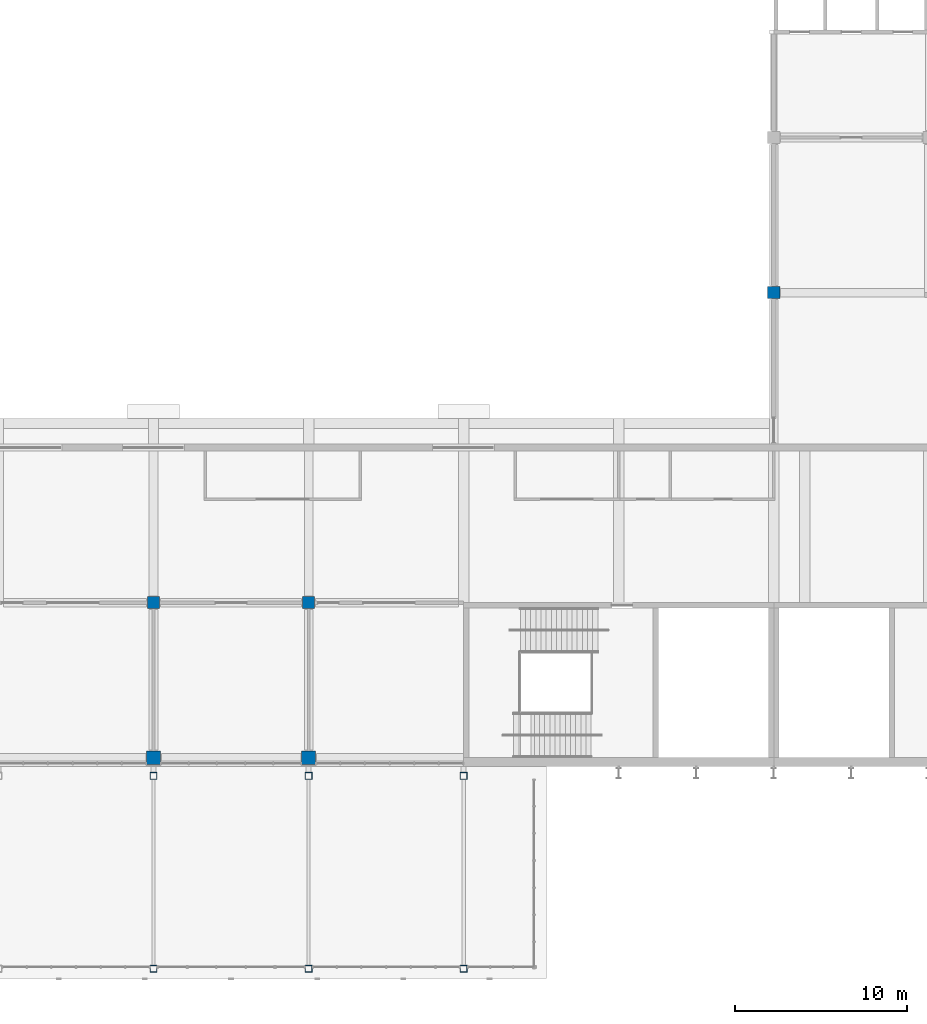
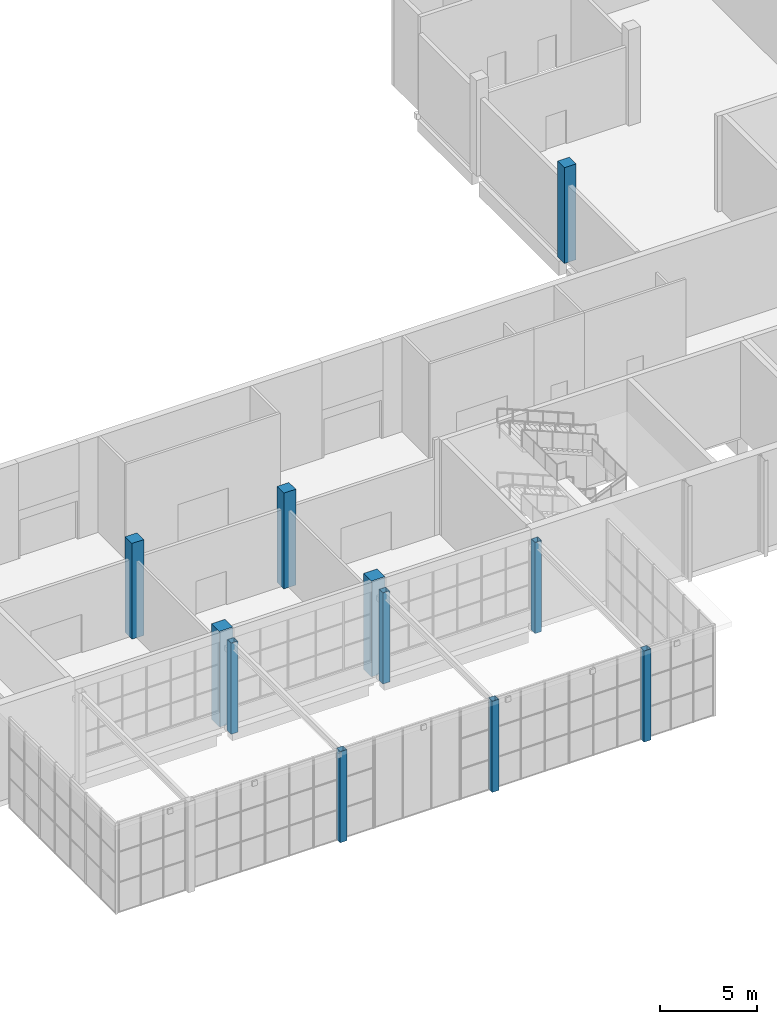
# One storey, part 4 of 89: 11 columns.
"""IFC4 building model written with IfcOpenShell, lengths in metres."""

from ifc_helpers import new_model, si_unit, direction, frame, origin, origin_2d, place, context, subcontext, project, spatial, rectangle, hollow_rectangle, extrude, material, material_profile, profile_set, type_object, element, save


model = new_model("IFC4")

# Units and contexts
model_context = context("Model", 3, precision=1e-05, world=origin(), true_north=direction((0.0, 1.0)))
body_context = subcontext(model_context, "Body", "Model", "MODEL_VIEW")
ifc_project = project(units=[si_unit("LENGTHUNIT", "METRE"), si_unit("AREAUNIT", "SQUARE_METRE"), si_unit("VOLUMEUNIT", "CUBIC_METRE"), si_unit("PLANEANGLEUNIT", "RADIAN"), si_unit("MASSUNIT", "GRAM", prefix="KILO")], contexts=[model_context])

# Site, building, storey
site_placement = place(None, origin())
site = spatial("IfcSite", under=ifc_project, at=site_placement, CompositionType="ELEMENT")
building_placement = place(site_placement, origin())
building = spatial("IfcBuilding", under=site, at=building_placement, Name="Silverbay Arena", CompositionType="ELEMENT")
storey_placement = place(building_placement, frame((0.0, 0.0, 22.0)))
storey = spatial("IfcBuildingStorey", under=building, at=storey_placement, Name="L03", CompositionType="ELEMENT", Elevation=22.0)

# Columns
ifc_material_1 = material(Name="Steel S355", Category="steel")
ifc_material_profile_1 = material_profile(ifc_material_1, hollow_rectangle(XDim=0.39990234375, YDim=0.39990234375, WallThickness=0.01611328125, at=origin_2d()), Name="SHS 400x400x16")
ifc_profile_set_1 = profile_set([ifc_material_profile_1], Name="Steel S355")
column_type_1 = type_object("IfcColumnType", Name="Hall column SHS 400x400x16", PredefinedType="COLUMN", material=ifc_profile_set_1)
for number, where, z_axis, x_axis, name in (
    (1, (126.0, 5.75, 0.0), (0.0, 0.0, 1.0), (1.0, 0.0, 0.0), "South entrance hall S1 column F2"),
    (2, (126.0, 16.949951171875, 0.0), (0.0, 0.0, 1.0), (1.0, 0.0, 0.0), "South entrance hall S1 column B2"),
    (3, (135.0, 5.75, 0.0), (0.0, 0.0, 1.0), (1.0, 0.0, 0.0), "South entrance hall S1 column F3"),
    (4, (135.0, 16.949951171875, 0.0), (0.0, 0.0, 1.0), (1.0, 0.0, 0.0), "South entrance hall S1 column B3"),
    (5, (144.0, 5.75, 0.0), (0.0, 0.0, 1.0), (1.0, 0.0, 0.0), "South entrance hall S1 column F4"),
    (6, (144.0, 16.949951171875, 0.0), (0.0, 0.0, 1.0), (1.0, 0.0, 0.0), "South entrance hall S1 column B4"),
):
    element("IfcColumn", number, at=place(storey_placement, frame(where, z_axis=z_axis, x_axis=x_axis)), inside=storey, type_object=column_type_1, Name=name, PredefinedType="COLUMN", context=body_context, shape_type="SweptSolid", body=[
        extrude(hollow_rectangle(XDim=0.39990234375, YDim=0.39990234375, WallThickness=0.01611328125, at=origin_2d()), origin(), (0.0, 0.0, 1.0), 5.699951171875),
    ])
ifc_material_2 = material(Name="Concrete Grade C45", Category="concrete")
ifc_material_profile_2 = material_profile(ifc_material_2, rectangle(XDim=0.699951171875, YDim=0.699951171875, at=origin_2d()), Name="RC 700x700")
ifc_profile_set_2 = profile_set([ifc_material_profile_2], Name="Concrete Grade C45")
column_type_2 = type_object("IfcColumnType", Name="RC column 700x700", PredefinedType="COLUMN", material=ifc_profile_set_2)
for number, where, z_axis, x_axis, name in (
    (7, (126.0, 27.0, 0.0), (0.0, 0.0, 1.0), (1.0, 0.0, 0.0), "Column 15/D L03"),
    (8, (135.0, 27.0, 0.0), (0.0, 0.0, 1.0), (1.0, 0.0, 0.0), "Column 16/D L03"),
    (9, (162.0, 45.0, 0.0), (0.0, 0.0, 1.0), (1.0, 0.0, 0.0), "Column 19/F L03"),
):
    element("IfcColumn", number, at=place(storey_placement, frame(where, z_axis=z_axis, x_axis=x_axis)), inside=storey, type_object=column_type_2, Name=name, PredefinedType="COLUMN", context=body_context, shape_type="SweptSolid", body=[
        extrude(rectangle(XDim=0.699951171875, YDim=0.699951171875, at=origin_2d()), origin(), (0.0, 0.0, 1.0), 6.0),
    ])
ifc_material_3 = material(Name="Concrete Grade C45", Category="concrete")
ifc_material_profile_3 = material_profile(ifc_material_3, rectangle(XDim=0.800048828125, YDim=0.800048828125, at=origin_2d()), Name="RC 800x800")
ifc_profile_set_3 = profile_set([ifc_material_profile_3], Name="Concrete Grade C45")
column_type_3 = type_object("IfcColumnType", Name="RC column 800x800", PredefinedType="COLUMN", material=ifc_profile_set_3)
for number, where, z_axis, x_axis, name in (
    (10, (126.0, 18.0, 0.0), (0.0, 0.0, 1.0), (1.0, 0.0, 0.0), "Column 15/C L03"),
    (11, (135.0, 18.0, 0.0), (0.0, 0.0, 1.0), (1.0, 0.0, 0.0), "Column 16/C L03"),
):
    element("IfcColumn", number, at=place(storey_placement, frame(where, z_axis=z_axis, x_axis=x_axis)), inside=storey, type_object=column_type_3, Name=name, PredefinedType="COLUMN", context=body_context, shape_type="SweptSolid", body=[
        extrude(rectangle(XDim=0.800048828125, YDim=0.800048828125, at=origin_2d()), origin(), (0.0, 0.0, 1.0), 6.0),
    ])

save(model, "model.ifc")
